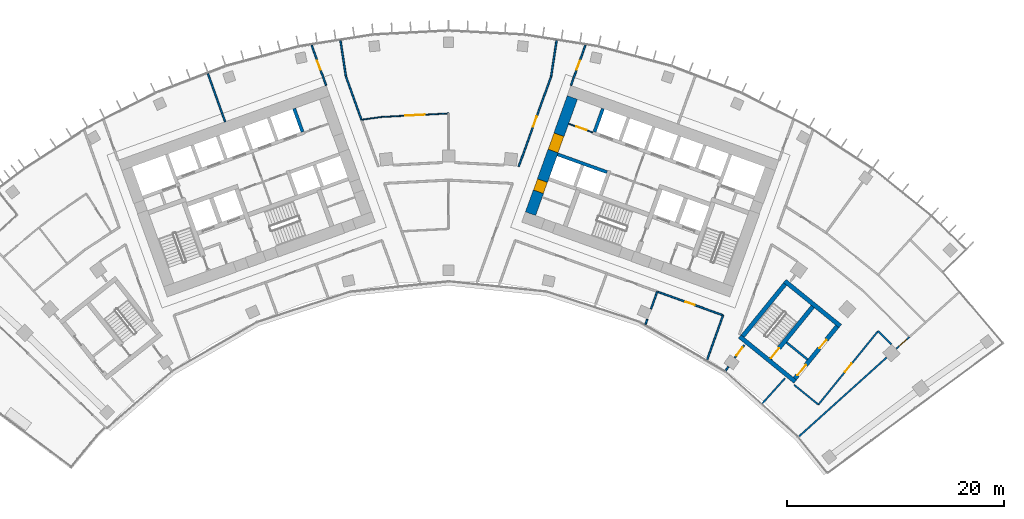
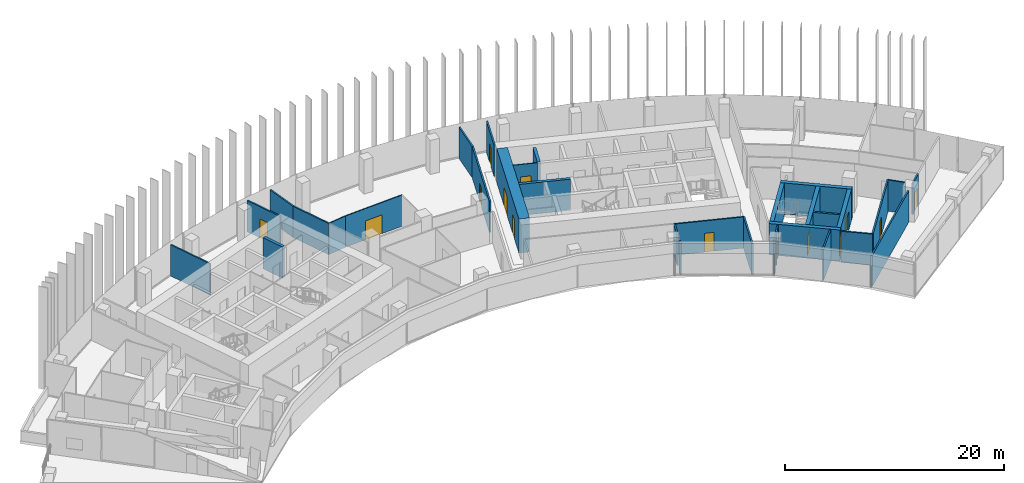
# One storey, part 15 of 20: 32 walls, 14 doors, 14 openings.
"""IFC4 building model written with IfcOpenShell, lengths in metres."""

from ifc_helpers import new_model, si_unit, direction, frame, frame_2d, origin, place, context, subcontext, project, spatial, rectangle, extrude, material, layer, layer_set, type_object, element, fill, save


model = new_model("IFC4")

# Units and contexts
model_context = context("Model", 3, precision=1e-05, world=origin(), true_north=direction((0.0, 1.0)))
body_context = subcontext(model_context, "Body", "Model", "MODEL_VIEW")
ifc_project = project(units=[si_unit("LENGTHUNIT", "METRE"), si_unit("AREAUNIT", "SQUARE_METRE"), si_unit("VOLUMEUNIT", "CUBIC_METRE"), si_unit("PLANEANGLEUNIT", "RADIAN"), si_unit("MASSUNIT", "GRAM", prefix="KILO")], contexts=[model_context])

# Site, building, storey
site_placement = place(None, origin())
site = spatial("IfcSite", under=ifc_project, at=site_placement, CompositionType="ELEMENT")
building_placement = place(site_placement, origin())
building = spatial("IfcBuilding", under=site, at=building_placement, Name="Stone Belt Terrace Tower", CompositionType="ELEMENT")
storey_placement = place(building_placement, frame((0.0, 0.0, 201.0)))
storey = spatial("IfcBuildingStorey", under=building, at=storey_placement, Name="L48", CompositionType="ELEMENT", Elevation=201.0)

# Wall, opening, door
ifc_material_1 = material(Name="Plasterboard partition")
ifc_layer_1 = layer(ifc_material_1, 0.10009765625)
ifc_layer_set_1 = layer_set([ifc_layer_1], Name="Core partition 100")
wall_type_1 = type_object("IfcWallType", Name="Core partition 100", PredefinedType="PARTITIONING", material=ifc_layer_set_1)
wall_1_placement = place(storey_placement, frame((13.29638671875, 57.17529296875, 0.0), z_axis=(0.0, 0.0, 1.0), x_axis=(-0.940904627055, 0.338671644496, 0.0)))
wall_1 = element("IfcWall", 1, at=wall_1_placement, inside=storey, type_object=wall_type_1, Name="Core B wall", PredefinedType="PARTITIONING", context=body_context, shape_type="SweptSolid", body=[
    extrude(rectangle(XDim=2.35009765625, YDim=0.10009765625, at=frame_2d((1.175048828125, 0.0))), origin(), (0.0, 0.0, 1.0), 3.47998046875),
])
opening_1_placement = place(wall_1_placement, frame((0.60009765625, 0.0, 0.0)))
opening_1 = element("IfcOpeningElement", 2, at=opening_1_placement, cuts=wall_1, Name="Opening L48-C15", PredefinedType="OPENING", context=body_context, shape_type="SweptSolid", body=[
    extrude(rectangle(XDim=1.0, YDim=2.10009765625, at=frame_2d((0.5, 1.050048828125))), frame((0.0, 0.06005859375, 0.0), z_axis=(0.0, -1.0, 0.0), x_axis=(1.0, 0.0, 0.0)), (0.0, 0.0, 1.0), 0.1201171875),
])
ifc_material_2 = material(Name="Timber door leaf", Category="wood")
door_type_1 = type_object("IfcDoorType", Name="Core room door 1000", OperationType="SINGLE_SWING_LEFT", PredefinedType="DOOR", material=ifc_material_2)
door_1_placement = place(opening_1_placement, origin())
door_1 = element("IfcDoor", 3, at=door_1_placement, inside=storey, type_object=door_type_1, Name="Door to Staff pantry core B", OperationType="SINGLE_SWING_RIGHT", OverallHeight=2.10009765625, OverallWidth=1.0, PredefinedType="DOOR", context=body_context, shape_type="SweptSolid", body=[
    extrude(rectangle(XDim=1.0, YDim=2.10009765625, at=frame_2d((0.5, 1.050048828125))), frame((0.0, 0.02490234375, 0.0), z_axis=(0.0, -1.0, 0.0), x_axis=(1.0, 0.0, 0.0)), (0.0, 0.0, 1.0), 0.050048828125),
])
fill(opening_1, door_1)

# Wall, openings, doors
ifc_material_3 = material(Name="Concrete B60", Category="concrete")
ifc_layer_2 = layer(ifc_material_3, 1.0)
ifc_layer_set_2 = layer_set([ifc_layer_2], Name="Core wall 1000 B60")
wall_type_2 = type_object("IfcWallType", Name="Core wall 1000 B60", PredefinedType="SHEAR", material=ifc_layer_set_2)
wall_2_placement = place(storey_placement, frame((7.567138671875, 49.672119140625, 0.0), z_axis=(0.0, 0.0, 1.0), x_axis=(0.338625431531, 0.940921259788, 0.0)))
wall_2 = element("IfcWall", 4, at=wall_2_placement, inside=storey, type_object=wall_type_2, Name="Core B wall end_a L48", PredefinedType="SHEAR", context=body_context, shape_type="SweptSolid", body=[
    extrude(rectangle(XDim=11.400146484375, YDim=1.0, at=frame_2d((5.7001953125, 0.0))), origin(), (0.0, 0.0, 1.0), 3.800048828125),
])
opening_2_placement = place(wall_2_placement, frame((6.14990234375, 0.0, 0.0)))
opening_2 = element("IfcOpeningElement", 5, at=opening_2_placement, cuts=wall_2, Name="Opening L48-C21", PredefinedType="OPENING", context=body_context, shape_type="SweptSolid", body=[
    extrude(rectangle(XDim=1.60009765625, YDim=2.10009765625, at=frame_2d((0.800048828125, 1.050048828125))), frame((0.0, 0.510009765625, 0.0), z_axis=(0.0, -1.0, 0.0), x_axis=(1.0, 0.0, 0.0)), (0.0, 0.0, 1.0), 1.02001953125),
])
opening_3_placement = place(wall_2_placement, frame((2.14990234375, 0.0, 0.0)))
opening_3 = element("IfcOpeningElement", 6, at=opening_3_placement, cuts=wall_2, Name="Opening L48-C27", PredefinedType="OPENING", context=body_context, shape_type="SweptSolid", body=[
    extrude(rectangle(XDim=1.10009765625, YDim=2.10009765625, at=frame_2d((0.550048828125, 1.050048828125))), frame((0.0, 0.510009765625, 0.0), z_axis=(0.0, -1.0, 0.0), x_axis=(1.0, 0.0, 0.0)), (0.0, 0.0, 1.0), 1.02001953125),
])
door_type_2 = type_object("IfcDoorType", Name="Core room door 1100", OperationType="SINGLE_SWING_LEFT", PredefinedType="DOOR", material=ifc_material_2)
door_2_placement = place(opening_3_placement, origin())
door_2 = element("IfcDoor", 7, at=door_2_placement, inside=storey, type_object=door_type_2, Name="Door to Accessible WC core B", OperationType="SINGLE_SWING_LEFT", OverallHeight=2.10009765625, OverallWidth=1.10009765625, PredefinedType="DOOR", context=body_context, shape_type="SweptSolid", body=[
    extrude(rectangle(XDim=1.10009765625, YDim=2.10009765625, at=frame_2d((0.550048828125, 1.050048828125))), frame((0.0, 0.47998046875, 0.0), z_axis=(0.0, -1.0, 0.0), x_axis=(1.0, 0.0, 0.0)), (0.0, 0.0, 1.0), 0.9599609375),
])
fill(opening_3, door_2)
ifc_material_4 = material(Name="Glazed aluminium door leaf", Category="aluminium")
door_type_3 = type_object("IfcDoorType", Name="Lift lobby entrance door 1600", OperationType="DOUBLE_DOOR_SINGLE_SWING", PredefinedType="DOOR", material=ifc_material_4)
door_3_placement = place(opening_2_placement, origin())
door_3 = element("IfcDoor", 8, at=door_3_placement, inside=storey, type_object=door_type_3, Name="Lift lobby entrance door core B", OperationType="DOUBLE_DOOR_SINGLE_SWING", OverallHeight=2.10009765625, OverallWidth=1.60009765625, PredefinedType="DOOR", context=body_context, shape_type="SweptSolid", body=[
    extrude(rectangle(XDim=1.60009765625, YDim=2.10009765625, at=frame_2d((0.800048828125, 1.050048828125))), frame((0.0, 0.47998046875, 0.0), z_axis=(0.0, -1.0, 0.0), x_axis=(1.0, 0.0, 0.0)), (0.0, 0.0, 1.0), 0.9599609375),
])
fill(opening_2, door_3)

# Walls
ifc_material_5 = material(Name="Concrete B80", Category="concrete")
ifc_layer_3 = layer(ifc_material_5, 0.300048828125)
ifc_layer_set_3 = layer_set([ifc_layer_3], Name="Lift shaft wall 300")
wall_type_3 = type_object("IfcWallType", Name="Lift shaft wall 300", PredefinedType="SHEAR", material=ifc_layer_set_3)
wall_3_placement = place(storey_placement, frame((-13.471435546875, 57.218505859375, 0.0), z_axis=(0.0, 0.0, 1.0), x_axis=(-0.338587917, 0.940934759939, 0.0)))
element("IfcWall", 9, at=wall_3_placement, inside=storey, type_object=wall_type_3, Name="Core A wall", PredefinedType="SHEAR", context=body_context, shape_type="SweptSolid", body=[
    extrude(rectangle(XDim=2.300048828125, YDim=0.300048828125, at=frame_2d((1.14990234375, 0.0))), origin(), (0.0, 0.0, 1.0), 3.47998046875),
])
wall_4_placement = place(storey_placement, frame((14.6328125, 53.506103515625, 0.0), z_axis=(0.0, 0.0, 1.0), x_axis=(-0.940931684323, 0.338596464007, 0.0)))
element("IfcWall", 10, at=wall_4_placement, inside=storey, type_object=wall_type_3, Name="Core B wall", PredefinedType="SHEAR", context=body_context, shape_type="SweptSolid", body=[
    extrude(rectangle(XDim=4.849609375, YDim=0.300048828125, at=frame_2d((2.4248046875, 0.0))), origin(), (0.0, 0.0, 1.0), 3.47998046875),
])
wall_5_placement = place(storey_placement, frame((13.471435546875, 57.218505859375, 0.0), z_axis=(0.0, 0.0, 1.0), x_axis=(0.338587917, 0.940934759939, 0.0)))
element("IfcWall", 11, at=wall_5_placement, inside=storey, type_object=wall_type_3, Name="Core B wall", PredefinedType="SHEAR", context=body_context, shape_type="SweptSolid", body=[
    extrude(rectangle(XDim=2.300048828125, YDim=0.300048828125, at=frame_2d((1.14990234375, 0.0))), origin(), (0.0, 0.0, 1.0), 3.47998046875),
])

# Wall, opening, door
ifc_material_6 = material(Name="Gypsum board partition")
ifc_layer_4 = layer(ifc_material_6, 0.10009765625)
ifc_layer_set_4 = layer_set([ifc_layer_4], Name="PARTITION 100")
wall_type_4 = type_object("IfcWallType", Name="PARTITION 100", PredefinedType="PARTITIONING", material=ifc_layer_set_4)
wall_6_placement = place(storey_placement, frame((0.0, 58.925048828125, 0.0), z_axis=(0.0, 0.0, 1.0), x_axis=(-0.998627653566, -0.052371839127, 0.0)))
wall_6 = element("IfcWall", 12, at=wall_6_placement, inside=storey, type_object=wall_type_4, Name="L48/wall/i085", PredefinedType="PARTITIONING", context=body_context, shape_type="SweptSolid", body=[
    extrude(rectangle(XDim=6.16748046875, YDim=0.10009765625, at=frame_2d((3.083740234375, 0.0))), origin(), (0.0, 0.0, 1.0), 3.47998046875),
])
opening_4_placement = place(wall_6_placement, frame((2.183837890625, 0.0, 0.0)))
opening_4 = element("IfcOpeningElement", 13, at=opening_4_placement, cuts=wall_6, Name="Opening D-D1-28", PredefinedType="OPENING", context=body_context, shape_type="SweptSolid", body=[
    extrude(rectangle(XDim=1.800048828125, YDim=2.10009765625, at=frame_2d((0.89990234375, 1.050048828125))), frame((0.0, 0.06005859375, 0.0), z_axis=(0.0, -1.0, 0.0), x_axis=(1.0, 0.0, 0.0)), (0.0, 0.0, 1.0), 0.1201171875),
])
door_type_4 = type_object("IfcDoorType", Name="DOUBLE DOOR 1800 X 2100", OperationType="DOUBLE_DOOR_SINGLE_SWING", PredefinedType="DOOR", material=ifc_material_2)
door_4_placement = place(opening_4_placement, origin())
door_4 = element("IfcDoor", 14, at=door_4_placement, inside=storey, type_object=door_type_4, Name="L48/door/i28", OperationType="DOUBLE_DOOR_SINGLE_SWING", OverallHeight=2.10009765625, OverallWidth=1.800048828125, PredefinedType="DOOR", context=body_context, shape_type="SweptSolid", body=[
    extrude(rectangle(XDim=1.800048828125, YDim=2.10009765625, at=frame_2d((0.89990234375, 1.050048828125))), frame((0.0, 0.02490234375, 0.0), z_axis=(0.0, -1.0, 0.0), x_axis=(1.0, 0.0, 0.0)), (0.0, 0.0, 1.0), 0.050048828125),
])
fill(opening_4, door_4)

# Wall
wall_7_placement = place(storey_placement, frame((-6.158935546875, 58.60205078125, 0.0), z_axis=(0.0, 0.0, 1.0), x_axis=(-0.990711920709, -0.13597753552, 0.0)))
element("IfcWall", 15, at=wall_7_placement, inside=storey, type_object=wall_type_4, Name="L48/wall/i086", PredefinedType="PARTITIONING", context=body_context, shape_type="SweptSolid", body=[
    extrude(rectangle(XDim=1.890625, YDim=0.10009765625, at=frame_2d((0.9453125, 0.0))), origin(), (0.0, 0.0, 1.0), 3.47998046875),
])

# Wall, opening, door
ifc_layer_5 = layer(ifc_material_6, 0.14990234375)
ifc_layer_set_5 = layer_set([ifc_layer_5], Name="PARTITION 150 EI 60")
wall_type_5 = type_object("IfcWallType", Name="PARTITION 150 EI 60", PredefinedType="PARTITIONING", material=ifc_layer_set_5)
wall_8_placement = place(storey_placement, frame((-11.2958984375, 61.509033203125, 0.0), z_axis=(0.0, 0.0, 1.0), x_axis=(-0.338610223579, 0.940926732795, 0.0)))
wall_8 = element("IfcWall", 16, at=wall_8_placement, inside=storey, type_object=wall_type_5, Name="L48/wall/i008", PredefinedType="PARTITIONING", context=body_context, shape_type="SweptSolid", body=[
    extrude(rectangle(XDim=3.956787109375, YDim=0.14990234375, at=frame_2d((1.978515625, 0.0))), origin(), (0.0, 0.0, 1.0), 3.47998046875),
])
opening_5_placement = place(wall_8_placement, frame((1.5283203125, 0.0, 0.0)))
opening_5 = element("IfcOpeningElement", 17, at=opening_5_placement, cuts=wall_8, Name="Opening D-D1-05", PredefinedType="OPENING", context=body_context, shape_type="SweptSolid", body=[
    extrude(rectangle(XDim=0.89990234375, YDim=2.10009765625, at=frame_2d((0.449951171875, 1.050048828125))), frame((0.0, 0.0849609375, 0.0), z_axis=(0.0, -1.0, 0.0), x_axis=(1.0, 0.0, 0.0)), (0.0, 0.0, 1.0), 0.169921875),
])
door_type_5 = type_object("IfcDoorType", Name="OFFICE DOOR 900 X 2100", OperationType="NOTDEFINED", PredefinedType="DOOR", material=ifc_material_2)
door_5_placement = place(opening_5_placement, origin())
door_5 = element("IfcDoor", 18, at=door_5_placement, inside=storey, type_object=door_type_5, Name="L48/door/i05", OperationType="SINGLE_SWING_RIGHT", OverallHeight=2.10009765625, OverallWidth=0.89990234375, PredefinedType="DOOR", context=body_context, shape_type="SweptSolid", body=[
    extrude(rectangle(XDim=0.89990234375, YDim=2.10009765625, at=frame_2d((0.449951171875, 1.050048828125))), frame((0.0, 0.02490234375, 0.0), z_axis=(0.0, -1.0, 0.0), x_axis=(1.0, 0.0, 0.0)), (0.0, 0.0, 1.0), 0.050048828125),
])
fill(opening_5, door_5)

# Walls
wall_9_placement = place(storey_placement, frame((-9.971923828125, 65.65576171875, 0.0), z_axis=(0.0, 0.0, 1.0), x_axis=(0.150154488208, -0.988662545903, 0.0)))
element("IfcWall", 19, at=wall_9_placement, inside=storey, type_object=wall_type_5, Name="L48/wall/i011", PredefinedType="PARTITIONING", context=body_context, shape_type="SweptSolid", body=[
    extrude(rectangle(XDim=3.35595703125, YDim=0.14990234375, at=frame_2d((1.677978515625, 0.0))), origin(), (0.0, 0.0, 1.0), 3.47998046875),
])
wall_10_placement = place(storey_placement, frame((-9.468017578125, 62.3369140625, 0.0), z_axis=(0.0, 0.0, 1.0), x_axis=(0.33866860031, -0.940905722782, 0.0)))
element("IfcWall", 20, at=wall_10_placement, inside=storey, type_object=wall_type_5, Name="L48/wall/i012", PredefinedType="PARTITIONING", context=body_context, shape_type="SweptSolid", body=[
    extrude(rectangle(XDim=4.248779296875, YDim=0.14990234375, at=frame_2d((2.12451171875, 0.0))), origin(), (0.0, 0.0, 1.0), 3.47998046875),
])
wall_11_placement = place(storey_placement, frame((-22.2119140625, 62.607177734375, 0.0), z_axis=(0.0, 0.0, 1.0), x_axis=(0.338670115676, -0.940905177342, 0.0)))
element("IfcWall", 21, at=wall_11_placement, inside=storey, type_object=wall_type_5, Name="L48/wall/i019", PredefinedType="PARTITIONING", context=body_context, shape_type="SweptSolid", body=[
    extrude(rectangle(XDim=4.729736328125, YDim=0.14990234375, at=frame_2d((2.36474609375, 0.0))), origin(), (0.0, 0.0, 1.0), 3.47998046875),
])

# Wall, opening, door
wall_12_placement = place(storey_placement, frame((12.6357421875, 65.232177734375, 0.0), z_axis=(0.0, 0.0, 1.0), x_axis=(-0.338610223579, -0.940926732795, 0.0)))
wall_12 = element("IfcWall", 22, at=wall_12_placement, inside=storey, type_object=wall_type_5, Name="L48/wall/i021", PredefinedType="PARTITIONING", context=body_context, shape_type="SweptSolid", body=[
    extrude(rectangle(XDim=3.956787109375, YDim=0.14990234375, at=frame_2d((1.978515625, 0.0))), origin(), (0.0, 0.0, 1.0), 3.47998046875),
])
opening_6_placement = place(wall_12_placement, frame((1.5283203125, 0.0, 0.0)))
opening_6 = element("IfcOpeningElement", 23, at=opening_6_placement, cuts=wall_12, Name="Opening D-D1-09", PredefinedType="OPENING", context=body_context, shape_type="SweptSolid", body=[
    extrude(rectangle(XDim=0.89990234375, YDim=2.10009765625, at=frame_2d((0.449951171875, 1.050048828125))), frame((0.0, 0.0849609375, 0.0), z_axis=(0.0, -1.0, 0.0), x_axis=(1.0, 0.0, 0.0)), (0.0, 0.0, 1.0), 0.169921875),
])
door_6_placement = place(opening_6_placement, origin())
door_6 = element("IfcDoor", 24, at=door_6_placement, inside=storey, type_object=door_type_5, Name="L48/door/i09", OperationType="SINGLE_SWING_RIGHT", OverallHeight=2.10009765625, OverallWidth=0.89990234375, PredefinedType="DOOR", context=body_context, shape_type="SweptSolid", body=[
    extrude(rectangle(XDim=0.89990234375, YDim=2.10009765625, at=frame_2d((0.449951171875, 1.050048828125))), frame((0.0, 0.02490234375, 0.0), z_axis=(0.0, -1.0, 0.0), x_axis=(1.0, 0.0, 0.0)), (0.0, 0.0, 1.0), 0.050048828125),
])
fill(opening_6, door_6)

wall_13_placement = place(storey_placement, frame((6.47509765625, 54.02001953125, 0.0), z_axis=(0.0, 0.0, 1.0), x_axis=(0.338603075024, 0.940929305307, 0.0)))
wall_13 = element("IfcWall", 25, at=wall_13_placement, inside=storey, type_object=wall_type_5, Name="L48/wall/i023", PredefinedType="PARTITIONING", context=body_context, shape_type="SweptSolid", body=[
    extrude(rectangle(XDim=8.839111328125, YDim=0.14990234375, at=frame_2d((4.41943359375, 0.0))), origin(), (0.0, 0.0, 1.0), 3.47998046875),
])
opening_7_placement = place(wall_13_placement, frame((3.919677734375, 0.0, 0.0)))
opening_7 = element("IfcOpeningElement", 26, at=opening_7_placement, cuts=wall_13, Name="Opening D-D1-27", PredefinedType="OPENING", context=body_context, shape_type="SweptSolid", body=[
    extrude(rectangle(XDim=1.0, YDim=2.10009765625, at=frame_2d((0.5, 1.050048828125))), frame((0.0, 0.0849609375, 0.0), z_axis=(0.0, -1.0, 0.0), x_axis=(1.0, 0.0, 0.0)), (0.0, 0.0, 1.0), 0.169921875),
])
ifc_material_7 = material(Name="Timber fire door leaf", Category="wood")
door_type_6 = type_object("IfcDoorType", Name="TENANCY ENTRANCE DOOR 1000 X 2100", OperationType="NOTDEFINED", PredefinedType="DOOR", material=ifc_material_7)
door_7_placement = place(opening_7_placement, origin())
door_7 = element("IfcDoor", 27, at=door_7_placement, inside=storey, type_object=door_type_6, Name="L48/door/i27", OperationType="SINGLE_SWING_RIGHT", OverallHeight=2.10009765625, OverallWidth=1.0, PredefinedType="DOOR", context=body_context, shape_type="SweptSolid", body=[
    extrude(rectangle(XDim=1.0, YDim=2.10009765625, at=frame_2d((0.5, 1.050048828125))), frame((0.0, 0.02490234375, 0.0), z_axis=(0.0, -1.0, 0.0), x_axis=(1.0, 0.0, 0.0)), (0.0, 0.0, 1.0), 0.050048828125),
])
fill(opening_7, door_7)

# Walls
wall_14_placement = place(storey_placement, frame((9.468017578125, 62.337890625, 0.0), z_axis=(0.0, 0.0, 1.0), x_axis=(0.150154488208, 0.988662545903, 0.0)))
element("IfcWall", 28, at=wall_14_placement, inside=storey, type_object=wall_type_5, Name="L48/wall/i024", PredefinedType="PARTITIONING", context=body_context, shape_type="SweptSolid", body=[
    extrude(rectangle(XDim=3.35595703125, YDim=0.14990234375, at=frame_2d((1.677978515625, 0.0))), origin(), (0.0, 0.0, 1.0), 3.47998046875),
])
wall_15_placement = place(storey_placement, frame((23.860107421875, 36.1787109375, 0.0), z_axis=(0.0, 0.0, 1.0), x_axis=(0.338603151709, 0.94092927771, 0.0)))
element("IfcWall", 29, at=wall_15_placement, inside=storey, type_object=wall_type_5, Name="L48/wall/i025", PredefinedType="PARTITIONING", context=body_context, shape_type="SweptSolid", body=[
    extrude(rectangle(XDim=4.38525390625, YDim=0.14990234375, at=frame_2d((2.192626953125, 0.0))), origin(), (0.0, 0.0, 1.0), 3.47998046875),
])

# Wall, opening, door
wall_16_placement = place(storey_placement, frame((27.282958984375, 37.552001953125, 0.0), z_axis=(0.0, 0.0, 1.0), x_axis=(-0.587894549619, -0.808937573938, 0.0)))
wall_16 = element("IfcWall", 30, at=wall_16_placement, inside=storey, type_object=wall_type_5, Name="L48/wall/i028", PredefinedType="PARTITIONING", context=body_context, shape_type="SweptSolid", body=[
    extrude(rectangle(XDim=1.466796875, YDim=0.14990234375, at=frame_2d((0.7333984375, 0.0))), origin(), (0.0, 0.0, 1.0), 3.47998046875),
])
opening_8_placement = place(wall_16_placement, frame((0.283447265625, 0.0, 0.0)))
opening_8 = element("IfcOpeningElement", 31, at=opening_8_placement, cuts=wall_16, Name="Opening D-D1-13", PredefinedType="OPENING", context=body_context, shape_type="SweptSolid", body=[
    extrude(rectangle(XDim=0.89990234375, YDim=2.10009765625, at=frame_2d((0.449951171875, 1.050048828125))), frame((0.0, 0.0849609375, 0.0), z_axis=(0.0, -1.0, 0.0), x_axis=(1.0, 0.0, 0.0)), (0.0, 0.0, 1.0), 0.169921875),
])
door_8_placement = place(opening_8_placement, origin())
door_8 = element("IfcDoor", 32, at=door_8_placement, inside=storey, type_object=door_type_5, Name="L48/door/i13", OperationType="SINGLE_SWING_RIGHT", OverallHeight=2.10009765625, OverallWidth=0.89990234375, PredefinedType="DOOR", context=body_context, shape_type="SweptSolid", body=[
    extrude(rectangle(XDim=0.89990234375, YDim=2.10009765625, at=frame_2d((0.449951171875, 1.050048828125))), frame((0.0, 0.02490234375, 0.0), z_axis=(0.0, -1.0, 0.0), x_axis=(1.0, 0.0, 0.0)), (0.0, 0.0, 1.0), 0.050048828125),
])
fill(opening_8, door_8)

# Wall
wall_17_placement = place(storey_placement, frame((25.826904296875, 35.54833984375, 0.0), z_axis=(0.0, 0.0, 1.0), x_axis=(-0.587676645097, -0.809095890984, 0.0)))
element("IfcWall", 33, at=wall_17_placement, inside=storey, type_object=wall_type_5, Name="L48/wall/i029", PredefinedType="PARTITIONING", context=body_context, shape_type="SweptSolid", body=[
    extrude(rectangle(XDim=0.43994140625, YDim=0.14990234375, at=frame_2d((0.219970703125, 0.0))), origin(), (0.0, 0.0, 1.0), 3.47998046875),
])

# Wall, opening, door
wall_18_placement = place(storey_placement, frame((25.343017578125, 40.299072265625, 0.0), z_axis=(0.0, 0.0, 1.0), x_axis=(-0.940919170352, 0.338631237284, 0.0)))
wall_18 = element("IfcWall", 34, at=wall_18_placement, inside=storey, type_object=wall_type_5, Name="L48/wall/i034", PredefinedType="PARTITIONING", context=body_context, shape_type="SweptSolid", body=[
    extrude(rectangle(XDim=6.467041015625, YDim=0.14990234375, at=frame_2d((3.2333984375, 0.0))), origin(), (0.0, 0.0, 1.0), 3.47998046875),
])
opening_9_placement = place(wall_18_placement, frame((2.783447265625, 0.0, 0.0)))
opening_9 = element("IfcOpeningElement", 35, at=opening_9_placement, cuts=wall_18, Name="Opening D-D1-08", PredefinedType="OPENING", context=body_context, shape_type="SweptSolid", body=[
    extrude(rectangle(XDim=0.89990234375, YDim=2.10009765625, at=frame_2d((0.449951171875, 1.050048828125))), frame((0.0, 0.0849609375, 0.0), z_axis=(0.0, -1.0, 0.0), x_axis=(1.0, 0.0, 0.0)), (0.0, 0.0, 1.0), 0.169921875),
])
door_9_placement = place(opening_9_placement, origin())
door_9 = element("IfcDoor", 36, at=door_9_placement, inside=storey, type_object=door_type_5, Name="L48/door/i08", OperationType="SINGLE_SWING_RIGHT", OverallHeight=2.10009765625, OverallWidth=0.89990234375, PredefinedType="DOOR", context=body_context, shape_type="SweptSolid", body=[
    extrude(rectangle(XDim=0.89990234375, YDim=2.10009765625, at=frame_2d((0.449951171875, 1.050048828125))), frame((0.0, 0.02490234375, 0.0), z_axis=(0.0, -1.0, 0.0), x_axis=(1.0, 0.0, 0.0)), (0.0, 0.0, 1.0), 0.050048828125),
])
fill(opening_9, door_9)

# Walls
wall_19_placement = place(storey_placement, frame((19.263916015625, 42.487060546875, 0.0), z_axis=(0.0, 0.0, 1.0), x_axis=(-0.338577399253, -0.940938544601, 0.0)))
element("IfcWall", 37, at=wall_19_placement, inside=storey, type_object=wall_type_5, Name="L48/wall/i036", PredefinedType="PARTITIONING", context=body_context, shape_type="SweptSolid", body=[
    extrude(rectangle(XDim=1.703857421875, YDim=0.14990234375, at=frame_2d((0.85205078125, 0.0))), origin(), (0.0, 0.0, 1.0), 3.47998046875),
])
wall_20_placement = place(storey_placement, frame((18.343994140625, 39.93115234375, 0.0), z_axis=(0.0, 0.0, 1.0), x_axis=(-0.338719468273, -0.940887411869, 0.0)))
element("IfcWall", 38, at=wall_20_placement, inside=storey, type_object=wall_type_5, Name="L48/wall/i037", PredefinedType="PARTITIONING", context=body_context, shape_type="SweptSolid", body=[
    extrude(rectangle(XDim=0.49951171875, YDim=0.14990234375, at=frame_2d((0.249755859375, 0.0))), origin(), (0.0, 0.0, 1.0), 3.47998046875),
])

# Wall, opening, door
wall_21_placement = place(storey_placement, frame((42.531005859375, 38.2939453125, 0.0), z_axis=(0.0, 0.0, 1.0), x_axis=(-0.743450987947, -0.668790421972, 0.0)))
wall_21 = element("IfcWall", 39, at=wall_21_placement, inside=storey, type_object=wall_type_5, Name="L48/wall/i039", PredefinedType="PARTITIONING", context=body_context, shape_type="SweptSolid", body=[
    extrude(rectangle(XDim=1.625244140625, YDim=0.14990234375, at=frame_2d((0.8125, 0.0))), origin(), (0.0, 0.0, 1.0), 3.47998046875),
])
opening_10_placement = place(wall_21_placement, frame((0.36279296875, 0.0, 0.0)))
opening_10 = element("IfcOpeningElement", 40, at=opening_10_placement, cuts=wall_21, Name="Opening D-D1-11", PredefinedType="OPENING", context=body_context, shape_type="SweptSolid", body=[
    extrude(rectangle(XDim=0.89990234375, YDim=2.10009765625, at=frame_2d((0.449951171875, 1.050048828125))), frame((0.0, 0.0849609375, 0.0), z_axis=(0.0, -1.0, 0.0), x_axis=(1.0, 0.0, 0.0)), (0.0, 0.0, 1.0), 0.169921875),
])
door_10_placement = place(opening_10_placement, origin())
door_10 = element("IfcDoor", 41, at=door_10_placement, inside=storey, type_object=door_type_5, Name="L48/door/i11", OperationType="SINGLE_SWING_RIGHT", OverallHeight=2.10009765625, OverallWidth=0.89990234375, PredefinedType="DOOR", context=body_context, shape_type="SweptSolid", body=[
    extrude(rectangle(XDim=0.89990234375, YDim=2.10009765625, at=frame_2d((0.449951171875, 1.050048828125))), frame((0.0, 0.02490234375, 0.0), z_axis=(0.0, -1.0, 0.0), x_axis=(1.0, 0.0, 0.0)), (0.0, 0.0, 1.0), 0.050048828125),
])
fill(opening_10, door_10)

# Walls
wall_22_placement = place(storey_placement, frame((32.32666015625, 29.107177734375, 0.0), z_axis=(0.0, 0.0, 1.0), x_axis=(0.743123646352, 0.669154127412, 0.0)))
element("IfcWall", 42, at=wall_22_placement, inside=storey, type_object=wall_type_5, Name="L48/wall/i040", PredefinedType="PARTITIONING", context=body_context, shape_type="SweptSolid", body=[
    extrude(rectangle(XDim=10.89501953125, YDim=0.14990234375, at=frame_2d((5.447509765625, 0.0))), origin(), (0.0, 0.0, 1.0), 3.47998046875),
])
wall_23_placement = place(storey_placement, frame((40.871826171875, 37.615234375, 0.0), z_axis=(0.0, 0.0, 1.0), x_axis=(-0.707176795224, 0.707036760216, 0.0)))
element("IfcWall", 43, at=wall_23_placement, inside=storey, type_object=wall_type_5, Name="L48/wall/i045", PredefinedType="PARTITIONING", context=body_context, shape_type="SweptSolid", body=[
    extrude(rectangle(XDim=1.743408203125, YDim=0.14990234375, at=frame_2d((0.87158203125, 0.0))), origin(), (0.0, 0.0, 1.0), 3.47998046875),
])

# Wall, opening, door
wall_24_placement = place(storey_placement, frame((39.64306640625, 38.843994140625, 0.0), z_axis=(0.0, 0.0, 1.0), x_axis=(-0.630226712005, -0.776411161354, 0.0)))
wall_24 = element("IfcWall", 44, at=wall_24_placement, inside=storey, type_object=wall_type_5, Name="L48/wall/i049", PredefinedType="PARTITIONING", context=body_context, shape_type="SweptSolid", body=[
    extrude(rectangle(XDim=8.742919921875, YDim=0.14990234375, at=frame_2d((4.37158203125, 0.0))), origin(), (0.0, 0.0, 1.0), 3.47998046875),
])
opening_11_placement = place(wall_24_placement, frame((3.871337890625, 0.0, 0.0)))
opening_11 = element("IfcOpeningElement", 45, at=opening_11_placement, cuts=wall_24, Name="Opening D-D1-14", PredefinedType="OPENING", context=body_context, shape_type="SweptSolid", body=[
    extrude(rectangle(XDim=1.0, YDim=2.10009765625, at=frame_2d((0.5, 1.050048828125))), frame((0.0, 0.0849609375, 0.0), z_axis=(0.0, -1.0, 0.0), x_axis=(1.0, 0.0, 0.0)), (0.0, 0.0, 1.0), 0.169921875),
])
door_11_placement = place(opening_11_placement, origin())
door_11 = element("IfcDoor", 46, at=door_11_placement, inside=storey, type_object=door_type_6, Name="L48/door/i14", OperationType="SINGLE_SWING_RIGHT", OverallHeight=2.10009765625, OverallWidth=1.0, PredefinedType="DOOR", context=body_context, shape_type="SweptSolid", body=[
    extrude(rectangle(XDim=1.0, YDim=2.10009765625, at=frame_2d((0.5, 1.050048828125))), frame((0.0, 0.02490234375, 0.0), z_axis=(0.0, -1.0, 0.0), x_axis=(1.0, 0.0, 0.0)), (0.0, 0.0, 1.0), 0.050048828125),
])
fill(opening_11, door_11)

# Walls
wall_25_placement = place(storey_placement, frame((34.133056640625, 32.055908203125, 0.0), z_axis=(0.0, 0.0, 1.0), x_axis=(-0.776369956068, 0.630277471686, 0.0)))
element("IfcWall", 47, at=wall_25_placement, inside=storey, type_object=wall_type_5, Name="L48/wall/i050", PredefinedType="PARTITIONING", context=body_context, shape_type="SweptSolid", body=[
    extrude(rectangle(XDim=2.8876953125, YDim=0.14990234375, at=frame_2d((1.44384765625, 0.0))), origin(), (0.0, 0.0, 1.0), 3.47998046875),
])
wall_26_placement = place(storey_placement, frame((31.054931640625, 34.489990234375, 0.0), z_axis=(0.0, 0.0, 1.0), x_axis=(-0.669118910745, -0.743155356089, 0.0)))
element("IfcWall", 48, at=wall_26_placement, inside=storey, type_object=wall_type_5, Name="L48/wall/i051", PredefinedType="PARTITIONING", context=body_context, shape_type="SweptSolid", body=[
    extrude(rectangle(XDim=3.149169921875, YDim=0.14990234375, at=frame_2d((1.57470703125, 0.0))), origin(), (0.0, 0.0, 1.0), 3.47998046875),
])
ifc_material_8 = material(Name="Concrete masonry block", Category="masonry")
ifc_layer_6 = layer(ifc_material_8, 0.199951171875)
ifc_layer_set_6 = layer_set([ifc_layer_6], Name="Rated lobby wall 200")
wall_type_6 = type_object("IfcWallType", Name="Rated lobby wall 200", PredefinedType="PARTITIONING", material=ifc_layer_set_6)
wall_27_placement = place(storey_placement, frame((31.190673828125, 37.79296875, 0.0), z_axis=(0.0, 0.0, 1.0), x_axis=(0.776370830301, -0.630276394813, 0.0)))
element("IfcWall", 49, at=wall_27_placement, inside=storey, type_object=wall_type_6, Name="Exit stair ST3B wall", PredefinedType="PARTITIONING", context=body_context, shape_type="SweptSolid", body=[
    extrude(rectangle(XDim=2.5, YDim=0.199951171875, at=frame_2d((1.25, 0.0))), origin(), (0.0, 0.0, 1.0), 3.47998046875),
])
ifc_layer_7 = layer(ifc_material_5, 0.39990234375)
ifc_layer_set_7 = layer_set([ifc_layer_7], Name="Stair enclosure wall 400")
wall_type_7 = type_object("IfcWallType", Name="Stair enclosure wall 400", PredefinedType="SHEAR", material=ifc_layer_set_7)
wall_28_placement = place(storey_placement, frame((26.868408203125, 38.3388671875, 0.0), z_axis=(0.0, 0.0, 1.0), x_axis=(0.776428452498, -0.630205409491, 0.0)))
element("IfcWall", 50, at=wall_28_placement, inside=storey, type_object=wall_type_7, Name="Exit stair ST3B wall", PredefinedType="SHEAR", context=body_context, shape_type="SweptSolid", body=[
    extrude(rectangle(XDim=6.60009765625, YDim=0.39990234375, at=frame_2d((3.300048828125, 0.0))), origin(), (0.0, 0.0, 1.0), 3.47998046875),
])
wall_29_placement = place(storey_placement, frame((31.02783203125, 43.46337890625, 0.0), z_axis=(0.0, 0.0, 1.0), x_axis=(0.776413760801, -0.630223509589, 0.0)))
element("IfcWall", 51, at=wall_29_placement, inside=storey, type_object=wall_type_7, Name="Exit stair ST3B wall", PredefinedType="SHEAR", context=body_context, shape_type="SweptSolid", body=[
    extrude(rectangle(XDim=6.599853515625, YDim=0.39990234375, at=frame_2d((3.2998046875, 0.0))), origin(), (0.0, 0.0, 1.0), 3.47998046875),
])
wall_30_placement = place(storey_placement, frame((27.149658203125, 38.3681640625, 0.0), z_axis=(0.0, 0.0, 1.0), x_axis=(0.630211551729, 0.776423466973, 0.0)))
element("IfcWall", 52, at=wall_30_placement, inside=storey, type_object=wall_type_7, Name="Exit stair ST3B wall", PredefinedType="SHEAR", context=body_context, shape_type="SweptSolid", body=[
    extrude(rectangle(XDim=6.199951171875, YDim=0.39990234375, at=frame_2d((3.10009765625, 0.0))), origin(), (0.0, 0.0, 1.0), 3.47998046875),
])

# Wall, openings, doors
wall_31_placement = place(storey_placement, frame((31.963623046875, 34.460693359375, 0.0), z_axis=(0.0, 0.0, 1.0), x_axis=(0.630192283849, 0.776439106033, 0.0)))
wall_31 = element("IfcWall", 53, at=wall_31_placement, inside=storey, type_object=wall_type_7, Name="Exit stair ST3B wall", PredefinedType="SHEAR", context=body_context, shape_type="SweptSolid", body=[
    extrude(rectangle(XDim=6.199951171875, YDim=0.39990234375, at=frame_2d((3.10009765625, 0.0))), origin(), (0.0, 0.0, 1.0), 3.47998046875),
])
opening_12_placement = place(wall_31_placement, frame((0.39990234375, 0.0, 0.0)))
opening_12 = element("IfcOpeningElement", 54, at=opening_12_placement, cuts=wall_31, Name="Opening L48-C33", PredefinedType="OPENING", context=body_context, shape_type="SweptSolid", body=[
    extrude(rectangle(XDim=1.199951171875, YDim=2.10009765625, at=frame_2d((0.60009765625, 1.050048828125))), frame((0.0, 0.2099609375, 0.0), z_axis=(0.0, -1.0, 0.0), x_axis=(1.0, 0.0, 0.0)), (0.0, 0.0, 1.0), 0.419921875),
])
opening_13_placement = place(wall_31_placement, frame((3.60009765625, 0.0, 0.0)))
opening_13 = element("IfcOpeningElement", 55, at=opening_13_placement, cuts=wall_31, Name="Opening L48-C34", PredefinedType="OPENING", context=body_context, shape_type="SweptSolid", body=[
    extrude(rectangle(XDim=1.0, YDim=2.10009765625, at=frame_2d((0.5, 1.050048828125))), frame((0.0, 0.2099609375, 0.0), z_axis=(0.0, -1.0, 0.0), x_axis=(1.0, 0.0, 0.0)), (0.0, 0.0, 1.0), 0.419921875),
])
door_12_placement = place(opening_13_placement, origin())
door_12 = element("IfcDoor", 56, at=door_12_placement, inside=storey, type_object=door_type_1, Name="Door to stair pressurisation plant room ST3B", OperationType="SINGLE_SWING_LEFT", OverallHeight=2.10009765625, OverallWidth=1.0, PredefinedType="DOOR", context=body_context, shape_type="SweptSolid", body=[
    extrude(rectangle(XDim=1.0, YDim=2.10009765625, at=frame_2d((0.5, 1.050048828125))), frame((0.0, 0.02490234375, 0.0), z_axis=(0.0, -1.0, 0.0), x_axis=(1.0, 0.0, 0.0)), (0.0, 0.0, 1.0), 0.050048828125),
])
fill(opening_13, door_12)
ifc_material_9 = material(Name="Steel door leaf", Category="steel")
door_type_7 = type_object("IfcDoorType", Name="Stair airlock door 1200", OperationType="SINGLE_SWING_LEFT", PredefinedType="DOOR", material=ifc_material_9)
door_13_placement = place(opening_12_placement, origin())
door_13 = element("IfcDoor", 57, at=door_13_placement, inside=storey, type_object=door_type_7, Name="Stair airlock door ST3B", OperationType="SINGLE_SWING_LEFT", OverallHeight=2.10009765625, OverallWidth=1.199951171875, PredefinedType="DOOR", context=body_context, shape_type="SweptSolid", body=[
    extrude(rectangle(XDim=1.199951171875, YDim=2.10009765625, at=frame_2d((0.60009765625, 1.050048828125))), frame((0.0, 0.02490234375, 0.0), z_axis=(0.0, -1.0, 0.0), x_axis=(1.0, 0.0, 0.0)), (0.0, 0.0, 1.0), 0.050048828125),
])
fill(opening_12, door_13)

# Wall, opening, door
wall_32_placement = place(storey_placement, frame((29.7119140625, 36.288330078125, 0.0), z_axis=(0.0, 0.0, 1.0), x_axis=(0.630192283849, 0.776439106033, 0.0)))
wall_32 = element("IfcWall", 58, at=wall_32_placement, inside=storey, type_object=wall_type_7, Name="Exit stair ST3B wall", PredefinedType="SHEAR", context=body_context, shape_type="SweptSolid", body=[
    extrude(rectangle(XDim=6.199951171875, YDim=0.39990234375, at=frame_2d((3.10009765625, 0.0))), origin(), (0.0, 0.0, 1.0), 3.47998046875),
])
opening_14_placement = place(wall_32_placement, frame((0.050048828125, 0.0, 0.0)))
opening_14 = element("IfcOpeningElement", 59, at=opening_14_placement, cuts=wall_32, Name="Opening L48-C32", PredefinedType="OPENING", context=body_context, shape_type="SweptSolid", body=[
    extrude(rectangle(XDim=1.199951171875, YDim=2.10009765625, at=frame_2d((0.60009765625, 1.050048828125))), frame((0.0, 0.2099609375, 0.0), z_axis=(0.0, -1.0, 0.0), x_axis=(1.0, 0.0, 0.0)), (0.0, 0.0, 1.0), 0.419921875),
])
door_type_8 = type_object("IfcDoorType", Name="Stair door 1200", OperationType="SINGLE_SWING_LEFT", PredefinedType="DOOR", material=ifc_material_9)
door_14_placement = place(opening_14_placement, origin())
door_14 = element("IfcDoor", 60, at=door_14_placement, inside=storey, type_object=door_type_8, Name="Stair door ST3B", OperationType="SINGLE_SWING_RIGHT", OverallHeight=2.10009765625, OverallWidth=1.199951171875, PredefinedType="DOOR", context=body_context, shape_type="SweptSolid", body=[
    extrude(rectangle(XDim=1.199951171875, YDim=2.10009765625, at=frame_2d((0.60009765625, 1.050048828125))), frame((0.0, 0.02490234375, 0.0), z_axis=(0.0, -1.0, 0.0), x_axis=(1.0, 0.0, 0.0)), (0.0, 0.0, 1.0), 0.050048828125),
])
fill(opening_14, door_14)

save(model, "model.ifc")
